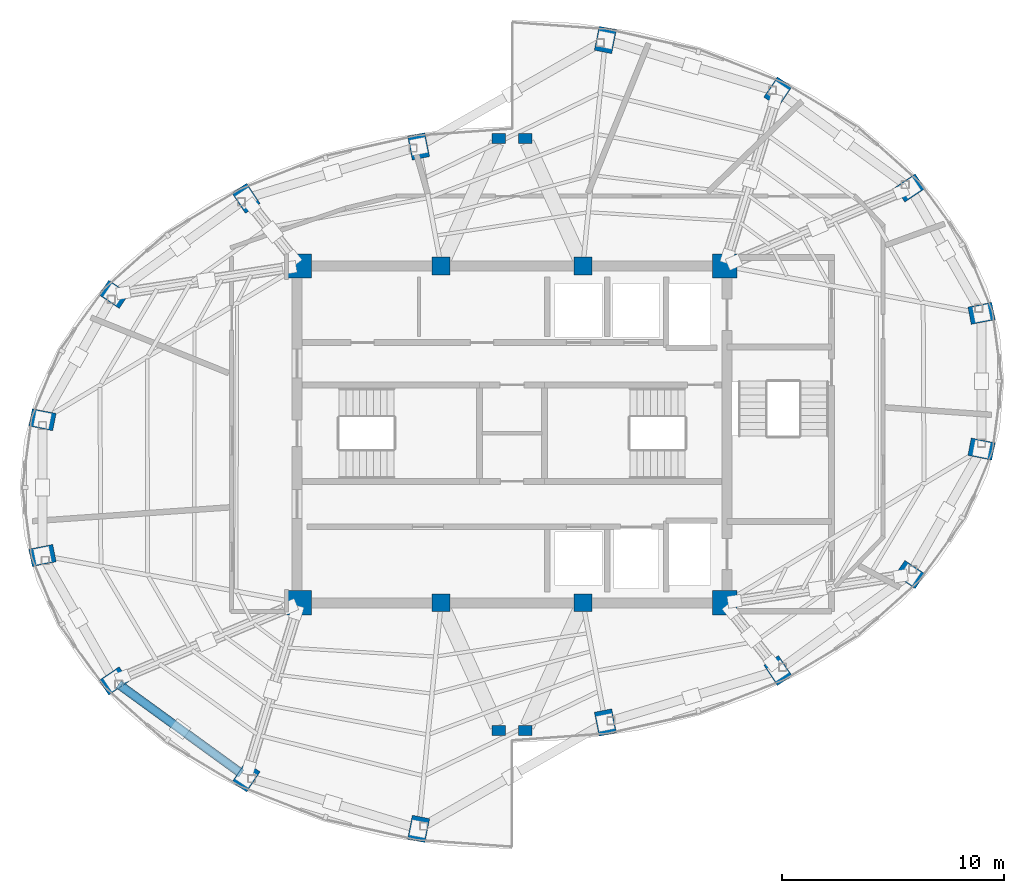
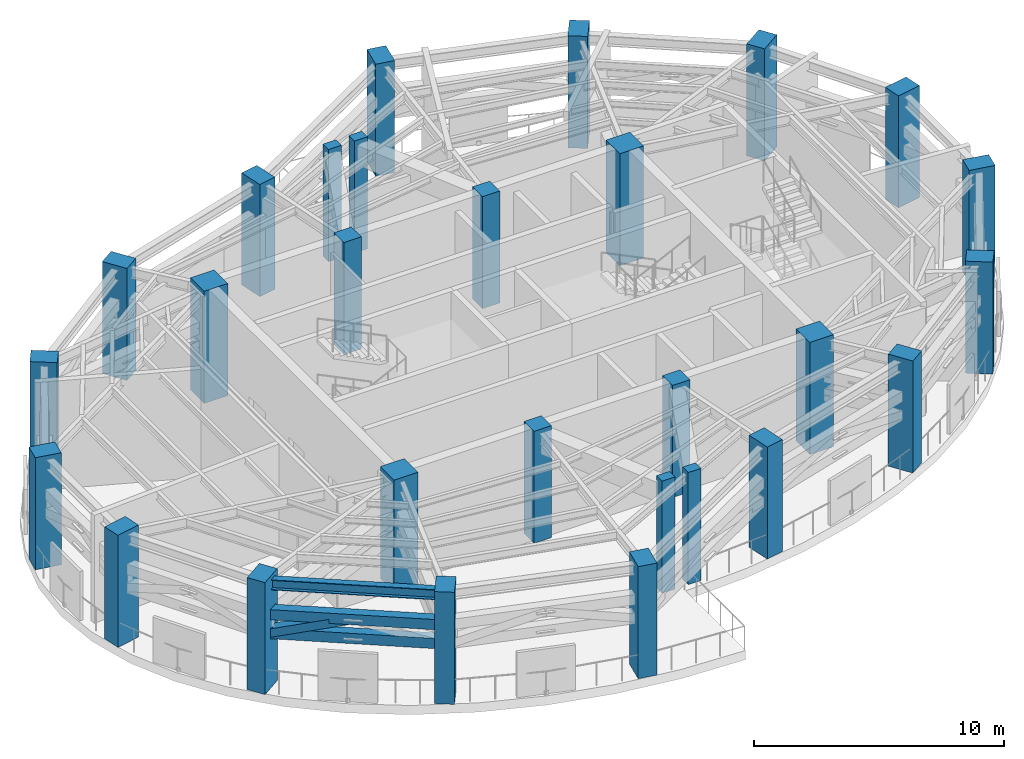
# One storey, part 1 of 12: 28 columns, 3 members, 1 beam.
"""IFC4 building model written with IfcOpenShell, lengths in metres."""

from ifc_helpers import new_model, si_unit, direction, frame, origin, origin_2d, place, context, subcontext, project, spatial, rectangle, hollow_rectangle, i_section, extrude, material, material_profile, profile_set, type_object, element, save


model = new_model("IFC4")

# Units and contexts
model_context = context("Model", 3, precision=1e-05, world=origin(), true_north=direction((0.0, 1.0)))
body_context = subcontext(model_context, "Body", "Model", "MODEL_VIEW")
ifc_project = project(units=[si_unit("LENGTHUNIT", "METRE"), si_unit("AREAUNIT", "SQUARE_METRE"), si_unit("VOLUMEUNIT", "CUBIC_METRE"), si_unit("PLANEANGLEUNIT", "RADIAN"), si_unit("MASSUNIT", "GRAM", prefix="KILO")], contexts=[model_context])

# Site, building, storey
site_placement = place(None, origin())
site = spatial("IfcSite", under=ifc_project, at=site_placement, CompositionType="ELEMENT")
building_placement = place(site_placement, origin())
building = spatial("IfcBuilding", under=site, at=building_placement, Name="Lazwardi Medical Tower", CompositionType="ELEMENT")
storey_placement = place(building_placement, frame((0.0, 0.0, 245.904052734375)))
storey = spatial("IfcBuildingStorey", under=building, at=storey_placement, Name="L64", CompositionType="ELEMENT", Elevation=245.904052734375)

# Columns
ifc_material_1 = material(Name="Concrete C80/95", Category="concrete")
ifc_material_profile_1 = material_profile(ifc_material_1, rectangle(XDim=1.10009765625, YDim=1.10009765625, at=origin_2d()), Name="RC 1100x1100")
ifc_profile_set_1 = profile_set([ifc_material_profile_1], Name="Concrete C80/95")
column_type_1 = type_object("IfcColumnType", Name="COL-CC-L", PredefinedType="COLUMN", material=ifc_profile_set_1)
for number, where, z_axis, x_axis, name in (
    (1, (26.39990234375, 20.39990234375, 0.0), (0.0, 0.0, 1.0), (1.0, 0.0, 0.0), "Core column CC-01 CC1 L64"),
    (2, (45.60009765625, 20.39990234375, 0.0), (0.0, 0.0, 1.0), (1.0, 0.0, 0.0), "Core column CC-01 CC4 L64"),
    (3, (45.60009765625, 35.60009765625, 0.0), (0.0, 0.0, 1.0), (1.0, 0.0, 0.0), "Core column CC-01 CC5 L64"),
    (4, (26.39990234375, 35.60009765625, 0.0), (0.0, 0.0, 1.0), (1.0, 0.0, 0.0), "Core column CC-01 CC8 L64"),
):
    element("IfcColumn", number, at=place(storey_placement, frame(where, z_axis=z_axis, x_axis=x_axis)), inside=storey, type_object=column_type_1, Name=name, PredefinedType="COLUMN", context=body_context, shape_type="SweptSolid", body=[
        extrude(rectangle(XDim=1.10009765625, YDim=1.10009765625, at=origin_2d()), origin(), (0.0, 0.0, 1.0), 5.471923828125),
    ])
ifc_material_2 = material(Name="Concrete C60/75", Category="concrete")
ifc_material_profile_2 = material_profile(ifc_material_2, rectangle(XDim=0.800048828125, YDim=0.800048828125, at=origin_2d()), Name="RC 800x800")
ifc_profile_set_2 = profile_set([ifc_material_profile_2], Name="Concrete C60/75")
column_type_2 = type_object("IfcColumnType", Name="COL-CC-U", PredefinedType="COLUMN", material=ifc_profile_set_2)
for number, where, z_axis, x_axis, name in (
    (5, (32.800048828125, 20.39990234375, 0.0), (0.0, 0.0, 1.0), (1.0, 0.0, 0.0), "Core column CC-03 CC2 L64"),
    (6, (39.199951171875, 20.39990234375, 0.0), (0.0, 0.0, 1.0), (1.0, 0.0, 0.0), "Core column CC-03 CC3 L64"),
    (7, (39.199951171875, 35.60009765625, 0.0), (0.0, 0.0, 1.0), (1.0, 0.0, 0.0), "Core column CC-03 CC6 L64"),
    (8, (32.800048828125, 35.60009765625, 0.0), (0.0, 0.0, 1.0), (1.0, 0.0, 0.0), "Core column CC-03 CC7 L64"),
):
    element("IfcColumn", number, at=place(storey_placement, frame(where, z_axis=z_axis, x_axis=x_axis)), inside=storey, type_object=column_type_2, Name=name, PredefinedType="COLUMN", context=body_context, shape_type="SweptSolid", body=[
        extrude(rectangle(XDim=0.800048828125, YDim=0.800048828125, at=origin_2d()), origin(), (0.0, 0.0, 1.0), 5.471923828125),
    ])
ifc_material_profile_3 = material_profile(ifc_material_2, rectangle(XDim=1.10009765625, YDim=0.800048828125, at=origin_2d()), Name="CFT-RECT 1100x800")
ifc_profile_set_3 = profile_set([ifc_material_profile_3], Name="Concrete C60/75")
column_type_3 = type_object("IfcColumnType", Name="COL-MC-Z4", PredefinedType="COLUMN", material=ifc_profile_set_3)
for number, where, z_axis, x_axis, name in (
    (9, (40.214111328125, 15.001708984375, 0.0), (0.0, 0.0, 1.0), (0.195090322016, -0.980785280403, 0.0), "Mega column MC-06 M01 L64"),
    (10, (48.000244140625, 17.345947265625, 0.0), (0.0, 0.0, 1.0), (0.55557023302, -0.831469612303, 0.0), "Mega column MC-06 M02 L64"),
    (11, (53.959716796875, 21.677490234375, 0.0), (0.0, 0.0, 1.0), (0.831469612303, -0.55557023302, 0.0), "Mega column MC-06 M03 L64"),
    (12, (57.18505859375, 27.337158203125, 0.0), (0.0, 0.0, 1.0), (0.980785280403, -0.195090322016, 0.0), "Mega column MC-06 M04 L64"),
    (13, (57.18505859375, 33.462890625, 0.0), (0.0, 0.0, 1.0), (0.980785280403, 0.195090322016, 0.0), "Mega column MC-06 M05 L64"),
    (14, (53.959716796875, 39.12255859375, 0.0), (0.0, 0.0, 1.0), (0.831469612303, 0.55557023302, 0.0), "Mega column MC-06 M06 L64"),
    (15, (48.000244140625, 43.4541015625, 0.0), (0.0, 0.0, 1.0), (0.55557023302, 0.831469612303, 0.0), "Mega column MC-06 M07 L64"),
    (16, (40.214111328125, 45.79833984375, 0.0), (0.0, 0.0, 1.0), (0.195090322016, 0.980785280403, 0.0), "Mega column MC-06 M08 L64"),
    (17, (31.785888671875, 40.998291015625, 0.0), (0.0, 0.0, 1.0), (-0.195090322016, 0.980785280403, 0.0), "Mega column MC-06 M09 L64"),
    (18, (23.999755859375, 38.654052734375, 0.0), (0.0, 0.0, 1.0), (-0.55557023302, 0.831469612303, 0.0), "Mega column MC-06 M10 L64"),
    (19, (18.040283203125, 34.322509765625, 0.0), (0.0, 0.0, 1.0), (-0.831469612303, 0.55557023302, 0.0), "Mega column MC-06 M11 L64"),
    (20, (14.81494140625, 28.662841796875, 0.0), (0.0, 0.0, 1.0), (-0.980785280403, 0.195090322016, 0.0), "Mega column MC-06 M12 L64"),
    (21, (14.81494140625, 22.537109375, 0.0), (0.0, 0.0, 1.0), (-0.980785280403, -0.195090322016, 0.0), "Mega column MC-06 M13 L64"),
    (22, (18.040283203125, 16.87744140625, 0.0), (0.0, 0.0, 1.0), (-0.831469612303, -0.55557023302, 0.0), "Mega column MC-06 M14 L64"),
    (23, (23.999755859375, 12.5458984375, 0.0), (0.0, 0.0, 1.0), (-0.55557023302, -0.831469612303, 0.0), "Mega column MC-06 M15 L64"),
    (24, (31.785888671875, 10.20166015625, 0.0), (0.0, 0.0, 1.0), (-0.195090322016, -0.980785280403, 0.0), "Mega column MC-06 M16 L64"),
):
    element("IfcColumn", number, at=place(storey_placement, frame(where, z_axis=z_axis, x_axis=x_axis)), inside=storey, type_object=column_type_3, Name=name, PredefinedType="COLUMN", context=body_context, shape_type="SweptSolid", body=[
        extrude(rectangle(XDim=1.10009765625, YDim=0.800048828125, at=origin_2d()), origin(), (0.0, 0.0, 1.0), 5.471923828125),
    ])
ifc_material_profile_4 = material_profile(ifc_material_2, rectangle(XDim=0.60009765625, YDim=0.449951171875, at=origin_2d()), Name="RC 600x450")
ifc_profile_set_4 = profile_set([ifc_material_profile_4], Name="Concrete C60/75")
column_type_4 = type_object("IfcColumnType", Name="COL-PL-IW", PredefinedType="PILASTER", material=ifc_profile_set_4)
for number, where, z_axis, x_axis, name in (
    (25, (35.39990234375, 41.35009765625, 0.0), (0.0, 0.0, 1.0), (1.0, 0.0, 0.0), "Iwan pilaster column PL-C1 PL1 L64"),
    (26, (36.60009765625, 41.35009765625, 0.0), (0.0, 0.0, 1.0), (1.0, 0.0, 0.0), "Iwan pilaster column PL-C1 PL2 L64"),
    (27, (35.39990234375, 14.64990234375, 0.0), (0.0, 0.0, 1.0), (1.0, 0.0, 0.0), "Iwan pilaster column PL-C1 PL3 L64"),
    (28, (36.60009765625, 14.64990234375, 0.0), (0.0, 0.0, 1.0), (1.0, 0.0, 0.0), "Iwan pilaster column PL-C1 PL4 L64"),
):
    element("IfcColumn", number, at=place(storey_placement, frame(where, z_axis=z_axis, x_axis=x_axis)), inside=storey, type_object=column_type_4, Name=name, PredefinedType="PILASTER", context=body_context, shape_type="SweptSolid", body=[
        extrude(rectangle(XDim=0.60009765625, YDim=0.449951171875, at=origin_2d()), origin(), (0.0, 0.0, 1.0), 5.471923828125),
    ])

# Beam
ifc_material_3 = material(Name="Steel S355", Category="steel")
ifc_material_profile_5 = material_profile(ifc_material_3, i_section(OverallWidth=0.300048828125, OverallDepth=0.5, WebThickness=0.014404296875, FlangeThickness=0.028076171875, at=origin_2d()), Name="HEB 500")
ifc_profile_set_5 = profile_set([ifc_material_profile_5], Name="Steel S355")
beam_type = type_object("IfcBeamType", Name="BM-RB-Z4", PredefinedType="BEAM", material=ifc_profile_set_5)
beam_placement = place(storey_placement, frame((18.355712890625, 16.648193359375, 5.02197265625), z_axis=(0.808889916254, -0.587960120571, 0.0), x_axis=(0.587960120571, 0.808889916254, 0.0)))
element("IfcBeam", 29, at=beam_placement, inside=storey, type_object=beam_type, Name="Ring beam RB-05 B14 L64", PredefinedType="BEAM", context=body_context, shape_type="SweptSolid", body=[
    extrude(i_section(OverallWidth=0.300048828125, OverallDepth=0.5, WebThickness=0.014404296875, FlangeThickness=0.028076171875, at=origin_2d()), origin(), (0.0, 0.0, 1.0), 6.587158203125),
])

# Members
ifc_material_4 = material(Name="Steel S460", Category="steel")
ifc_material_profile_6 = material_profile(ifc_material_4, hollow_rectangle(XDim=0.39990234375, YDim=0.5, WallThickness=0.02490234375, at=origin_2d()), Name="RHS 500x400x25")
ifc_profile_set_6 = profile_set([ifc_material_profile_6], Name="Steel S460")
member_type_1 = type_object("IfcMemberType", Name="MEM-BC-01", PredefinedType="CHORD", material=ifc_profile_set_6)
for number, where, z_axis, x_axis, name in (
    (30, (18.25048828125, 16.724609375, 2.679931640625), (0.808899486782, -0.587946953631, 0.0), (0.587946953631, 0.808899486782, 0.0), "Belt truss bottom chord BC-01 B14 L64"),
    (31, (18.25048828125, 16.724609375, 3.599853515625), (0.808899486782, -0.587946953631, 0.0), (0.587946953631, 0.808899486782, 0.0), "Belt truss top chord BC-01 B14 L64"),
):
    element("IfcMember", number, at=place(storey_placement, frame(where, z_axis=z_axis, x_axis=x_axis)), inside=storey, type_object=member_type_1, Name=name, PredefinedType="CHORD", context=body_context, shape_type="SweptSolid", body=[
        extrude(hollow_rectangle(XDim=0.39990234375, YDim=0.5, WallThickness=0.02490234375, at=origin_2d()), origin(), (0.0, 0.0, 1.0), 6.847412109375),
    ])
ifc_material_profile_7 = material_profile(ifc_material_4, hollow_rectangle(XDim=0.39990234375, YDim=0.39990234375, WallThickness=0.02001953125, at=origin_2d()), Name="RHS 400x400x20")
ifc_profile_set_7 = profile_set([ifc_material_profile_7], Name="Steel S460")
member_type_2 = type_object("IfcMemberType", Name="MEM-BD-01", PredefinedType="BRACE", material=ifc_profile_set_7)
member_placement = place(storey_placement, frame((18.25048828125, 16.724609375, 2.679931640625), z_axis=(0.781204627176, -0.567791973825, 0.259483342313), x_axis=(0.587929996945, 0.808911811443, 0.0)))
element("IfcMember", 32, at=member_placement, inside=storey, type_object=member_type_2, Name="Belt truss diagonal BD-01 B14A L64", PredefinedType="BRACE", context=body_context, shape_type="SweptSolid", body=[
    extrude(hollow_rectangle(XDim=0.39990234375, YDim=0.39990234375, WallThickness=0.02001953125, at=origin_2d()), origin(), (0.0, 0.0, 1.0), 3.545166015625),
])

save(model, "model.ifc")
